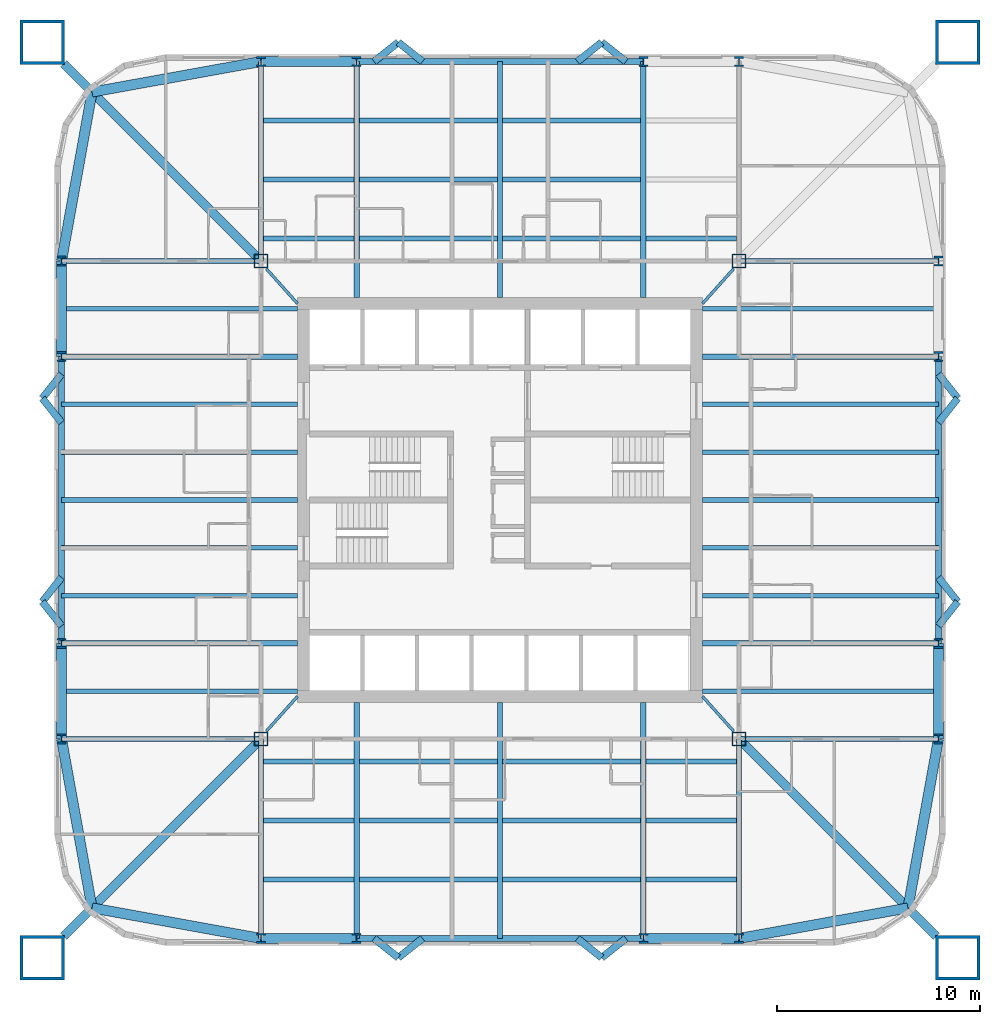
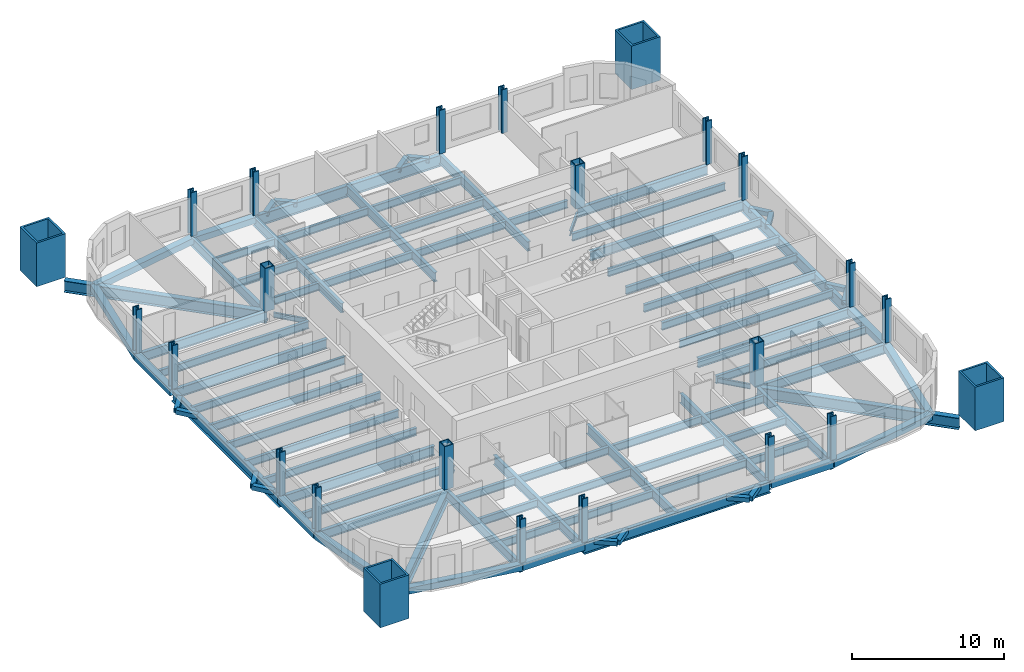
# One storey, part 1 of 9: 92 beams, 24 columns.
"""IFC4 building model written with IfcOpenShell, lengths in metres."""

from ifc_helpers import new_model, si_unit, direction, frame, origin, origin_2d, place, context, subcontext, project, spatial, hollow_rectangle, i_section, extrude, material, material_profile, profile_set, type_object, element, save


model = new_model("IFC4")

# Units and contexts
model_context = context("Model", 3, precision=1e-05, world=origin(), true_north=direction((0.0, 1.0)))
body_context = subcontext(model_context, "Body", "Model", "MODEL_VIEW")
ifc_project = project(units=[si_unit("LENGTHUNIT", "METRE"), si_unit("AREAUNIT", "SQUARE_METRE"), si_unit("VOLUMEUNIT", "CUBIC_METRE"), si_unit("PLANEANGLEUNIT", "RADIAN"), si_unit("MASSUNIT", "GRAM", prefix="KILO")], contexts=[model_context])

# Site, building, storey
site_placement = place(None, origin())
site = spatial("IfcSite", under=ifc_project, at=site_placement, CompositionType="ELEMENT")
building_placement = place(site_placement, origin())
building = spatial("IfcBuilding", under=site, at=building_placement, Name="Turquesa Mirador Hotel Tower", CompositionType="ELEMENT")
storey_placement = place(building_placement, frame((0.0, 0.0, 49.5)))
storey = spatial("IfcBuildingStorey", under=building, at=storey_placement, Name="L12", CompositionType="ELEMENT", Elevation=49.5)

# Columns
ifc_material_1 = material(Name="Steel ASTM A572 Grade 50", Category="steel")
ifc_material_profile_1 = material_profile(ifc_material_1, hollow_rectangle(XDim=0.699951171875, YDim=0.699951171875, WallThickness=0.06005859375, at=origin_2d()), Name="BOX700X700X60")
ifc_profile_set_1 = profile_set([ifc_material_profile_1], Name="Steel ASTM A572 Grade 50")
column_type_1 = type_object("IfcColumnType", Name="COLUMN BOX700X700X60", PredefinedType="COLUMN", material=ifc_profile_set_1)
for number, where, z_axis, x_axis, name in (
    (1, (43.199951171875, 33.199951171875, 0.0), (0.0, 0.0, 1.0), (1.0, 0.0, 0.0), "COL-L12-K--11.80--11.80"),
    (2, (43.199951171875, 56.800048828125, 0.0), (0.0, 0.0, 1.0), (1.0, 0.0, 0.0), "COL-L12-K--11.80-+11.80"),
    (3, (66.800048828125, 33.199951171875, 0.0), (0.0, 0.0, 1.0), (1.0, 0.0, 0.0), "COL-L12-K-+11.80--11.80"),
    (4, (66.800048828125, 56.800048828125, 0.0), (0.0, 0.0, 1.0), (1.0, 0.0, 0.0), "COL-L12-K-+11.80-+11.80"),
):
    element("IfcColumn", number, at=place(storey_placement, frame(where, z_axis=z_axis, x_axis=x_axis)), inside=storey, type_object=column_type_1, Name=name, PredefinedType="COLUMN", context=body_context, shape_type="SweptSolid", body=[
        extrude(hollow_rectangle(XDim=0.699951171875, YDim=0.699951171875, WallThickness=0.06005859375, at=origin_2d()), origin(), (0.0, 0.0, 1.0), 3.5),
    ])
ifc_material_2 = material(Name="Steel ASTM A992 Grade 50", Category="steel")
ifc_material_profile_2 = material_profile(ifc_material_2, i_section(OverallWidth=0.431884765625, OverallDepth=0.497802734375, WebThickness=0.0556640625, FlangeThickness=0.0888671875, at=origin_2d()), Name="W14X500")
ifc_profile_set_2 = profile_set([ifc_material_profile_2], Name="Steel ASTM A992 Grade 50")
column_type_2 = type_object("IfcColumnType", Name="COLUMN W14X500", PredefinedType="COLUMN", material=ifc_profile_set_2)
for number, where, z_axis, x_axis, name in (
    (5, (33.35009765625, 33.199951171875, 0.0), (0.0, 0.0, 1.0), (1.0, 0.0, 0.0), "COL-L12-P--21.65--11.80"),
    (6, (33.35009765625, 37.919921875, 0.0), (0.0, 0.0, 1.0), (1.0, 0.0, 0.0), "COL-L12-P--21.65--7.08"),
    (7, (33.35009765625, 52.080078125, 0.0), (0.0, 0.0, 1.0), (1.0, 0.0, 0.0), "COL-L12-P--21.65-+7.08"),
    (8, (33.35009765625, 56.800048828125, 0.0), (0.0, 0.0, 1.0), (1.0, 0.0, 0.0), "COL-L12-P--21.65-+11.80"),
    (9, (43.199951171875, 23.35009765625, 0.0), (0.0, 0.0, 1.0), (1.0, 0.0, 0.0), "COL-L12-P--11.80--21.65"),
    (10, (43.199951171875, 66.64990234375, 0.0), (0.0, 0.0, 1.0), (1.0, 0.0, 0.0), "COL-L12-P--11.80-+21.65"),
    (11, (47.919921875, 23.35009765625, 0.0), (0.0, 0.0, 1.0), (1.0, 0.0, 0.0), "COL-L12-P--7.08--21.65"),
    (12, (47.919921875, 66.64990234375, 0.0), (0.0, 0.0, 1.0), (1.0, 0.0, 0.0), "COL-L12-P--7.08-+21.65"),
    (13, (62.080078125, 23.35009765625, 0.0), (0.0, 0.0, 1.0), (1.0, 0.0, 0.0), "COL-L12-P-+7.08--21.65"),
    (14, (62.080078125, 66.64990234375, 0.0), (0.0, 0.0, 1.0), (1.0, 0.0, 0.0), "COL-L12-P-+7.08-+21.65"),
    (15, (66.800048828125, 23.35009765625, 0.0), (0.0, 0.0, 1.0), (1.0, 0.0, 0.0), "COL-L12-P-+11.80--21.65"),
    (16, (66.800048828125, 66.64990234375, 0.0), (0.0, 0.0, 1.0), (1.0, 0.0, 0.0), "COL-L12-P-+11.80-+21.65"),
    (17, (76.64990234375, 33.199951171875, 0.0), (0.0, 0.0, 1.0), (1.0, 0.0, 0.0), "COL-L12-P-+21.65--11.80"),
    (18, (76.64990234375, 37.919921875, 0.0), (0.0, 0.0, 1.0), (1.0, 0.0, 0.0), "COL-L12-P-+21.65--7.08"),
    (19, (76.64990234375, 52.080078125, 0.0), (0.0, 0.0, 1.0), (1.0, 0.0, 0.0), "COL-L12-P-+21.65-+7.08"),
    (20, (76.64990234375, 56.800048828125, 0.0), (0.0, 0.0, 1.0), (1.0, 0.0, 0.0), "COL-L12-P-+21.65-+11.80"),
):
    element("IfcColumn", number, at=place(storey_placement, frame(where, z_axis=z_axis, x_axis=x_axis)), inside=storey, type_object=column_type_2, Name=name, PredefinedType="COLUMN", context=body_context, shape_type="SweptSolid", body=[
        extrude(i_section(OverallWidth=0.431884765625, OverallDepth=0.497802734375, WebThickness=0.0556640625, FlangeThickness=0.0888671875, at=origin_2d()), origin(), (0.0, 0.0, 1.0), 3.5),
    ])
ifc_material_3 = material(Name="Steel ASTM A514 Grade Q", Category="steel")
ifc_material_profile_3 = material_profile(ifc_material_3, hollow_rectangle(XDim=2.199951171875, YDim=2.199951171875, WallThickness=0.14990234375, at=origin_2d()), Name="BOX2200X2200X150")
ifc_profile_set_3 = profile_set([ifc_material_profile_3], Name="Steel ASTM A514 Grade Q")
column_type_3 = type_object("IfcColumnType", Name="MEGA COLUMN BOX2200X2200X150", PredefinedType="COLUMN", material=ifc_profile_set_3)
for number, where, z_axis, x_axis, name in (
    (21, (77.60009765625, 67.60009765625, 0.0), (0.0, 0.0, 1.0), (1.0, 0.0, 0.0), "Mega column M1"),
    (22, (32.39990234375, 67.60009765625, 0.0), (0.0, 0.0, 1.0), (1.0, 0.0, 0.0), "Mega column M2"),
    (23, (32.39990234375, 22.39990234375, 0.0), (0.0, 0.0, 1.0), (1.0, 0.0, 0.0), "Mega column M3"),
    (24, (77.60009765625, 22.39990234375, 0.0), (0.0, 0.0, 1.0), (1.0, 0.0, 0.0), "Mega column M4"),
):
    element("IfcColumn", number, at=place(storey_placement, frame(where, z_axis=z_axis, x_axis=x_axis)), inside=storey, type_object=column_type_3, Name=name, PredefinedType="COLUMN", context=body_context, shape_type="SweptSolid", body=[
        extrude(hollow_rectangle(XDim=2.199951171875, YDim=2.199951171875, WallThickness=0.14990234375, at=origin_2d()), origin(), (0.0, 0.0, 1.0), 3.5),
    ])

# Beams
ifc_material_4 = material(Name="Steel ASTM A572 Grade 50", Category="steel")
ifc_material_profile_4 = material_profile(ifc_material_4, hollow_rectangle(XDim=0.5, YDim=0.5, WallThickness=0.01611328125, at=origin_2d()), Name="BOX500X500X16")
ifc_profile_set_4 = profile_set([ifc_material_profile_4], Name="Steel ASTM A572 Grade 50")
beam_type_1 = type_object("IfcBeamType", Name="BEAM BOX500X500X16", PredefinedType="BEAM", material=ifc_profile_set_4)
for number, where, z_axis, x_axis, name in (
    (25, (43.199951171875, 66.64990234375, -0.419921875), (1.0, 0.0, 0.0), (0.0, 1.0, 0.0), "EB-L12-N-L"),
    (26, (43.199951171875, 23.35009765625, -0.419921875), (1.0, 0.0, 0.0), (0.0, 1.0, 0.0), "EB-L12-S-L"),
    (27, (62.080078125, 23.35009765625, -0.419921875), (1.0, 0.0, 0.0), (0.0, 1.0, 0.0), "EB-L12-S-R"),
    (28, (76.64990234375, 33.199951171875, -0.419921875), (0.0, 1.0, 0.0), (-1.0, 0.0, 0.0), "EB-L12-E-L"),
    (29, (33.35009765625, 33.199951171875, -0.419921875), (0.0, 1.0, 0.0), (-1.0, 0.0, 0.0), "EB-L12-W-L"),
    (30, (33.35009765625, 52.080078125, -0.419921875), (0.0, 1.0, 0.0), (-1.0, 0.0, 0.0), "EB-L12-W-R"),
):
    element("IfcBeam", number, at=place(storey_placement, frame(where, z_axis=z_axis, x_axis=x_axis)), inside=storey, type_object=beam_type_1, Name=name, PredefinedType="BEAM", context=body_context, shape_type="SweptSolid", body=[
        extrude(hollow_rectangle(XDim=0.5, YDim=0.5, WallThickness=0.01611328125, at=origin_2d()), origin(), (0.0, 0.0, 1.0), 4.719970703125),
    ])
for number, where, z_axis, x_axis, name in (
    (31, (33.35009765625, 56.800048828125, -0.419921875), (0.177932387818, 0.984042715214, 0.0), (-0.984042715214, 0.177932387818, 0.0), "KE-L12-2-0"),
    (32, (34.8583984375, 65.1416015625, -0.419921875), (0.984042715214, 0.177932387818, 0.0), (-0.177932387818, 0.984042715214, 0.0), "KE-L12-2-1"),
    (33, (33.35009765625, 33.199951171875, -0.419921875), (0.177932387818, -0.984042715214, 0.0), (0.984042715214, 0.177932387818, 0.0), "KE-L12-3-0"),
    (34, (34.8583984375, 24.8583984375, -0.419921875), (0.984042715214, -0.177932387818, 0.0), (0.177932387818, 0.984042715214, 0.0), "KE-L12-3-1"),
    (35, (76.64990234375, 33.199951171875, -0.419921875), (-0.177932387818, -0.984042715214, 0.0), (0.984042715214, -0.177932387818, 0.0), "KE-L12-4-0"),
    (36, (75.1416015625, 24.8583984375, -0.419921875), (-0.984042715214, -0.177932387818, 0.0), (0.177932387818, -0.984042715214, 0.0), "KE-L12-4-1"),
):
    element("IfcBeam", number, at=place(storey_placement, frame(where, z_axis=z_axis, x_axis=x_axis)), inside=storey, type_object=beam_type_1, Name=name, PredefinedType="BEAM", context=body_context, shape_type="SweptSolid", body=[
        extrude(hollow_rectangle(XDim=0.5, YDim=0.5, WallThickness=0.01611328125, at=origin_2d()), origin(), (0.0, 0.0, 1.0), 8.476806640625),
    ])
ifc_material_5 = material(Name="Steel ASTM A992 Grade 50", Category="steel")
ifc_material_profile_5 = material_profile(ifc_material_5, i_section(OverallWidth=0.140380859375, OverallDepth=0.40380859375, WebThickness=0.007080078125, FlangeThickness=0.01123046875, at=origin_2d()), Name="W16X31")
ifc_profile_set_5 = profile_set([ifc_material_profile_5], Name="Steel ASTM A992 Grade 50")
beam_type_2 = type_object("IfcBeamType", Name="BEAM W16X31", PredefinedType="BEAM", material=ifc_profile_set_5)
for number, where, z_axis, x_axis, name in (
    (37, (66.529541015625, 56.40966796875, -0.371826171875), (-0.666745084392, -0.745285846129, 0.0), (0.745285846129, -0.666745084392, 0.0), "KT-L12-1"),
    (38, (43.470458984375, 56.40966796875, -0.371826171875), (0.666745084392, -0.745285846129, 0.0), (0.745285846129, 0.666745084392, 0.0), "KT-L12-2"),
    (39, (43.470458984375, 33.59033203125, -0.371826171875), (0.666745084392, 0.745285846129, 0.0), (-0.745285846129, 0.666745084392, 0.0), "KT-L12-3"),
    (40, (66.529541015625, 33.59033203125, -0.371826171875), (-0.666745084392, 0.745285846129, 0.0), (-0.745285846129, -0.666745084392, 0.0), "KT-L12-4"),
):
    element("IfcBeam", number, at=place(storey_placement, frame(where, z_axis=z_axis, x_axis=x_axis)), inside=storey, type_object=beam_type_2, Name=name, PredefinedType="BEAM", context=body_context, shape_type="SweptSolid", body=[
        extrude(i_section(OverallWidth=0.140380859375, OverallDepth=0.40380859375, WebThickness=0.007080078125, FlangeThickness=0.01123046875, at=origin_2d()), origin(), (0.0, 0.0, 1.0), 2.2939453125),
    ])
ifc_material_6 = material(Name="Steel ASTM A992 Grade 50", Category="steel")
ifc_material_profile_6 = material_profile(ifc_material_6, i_section(OverallWidth=0.228271484375, OverallDepth=0.607177734375, WebThickness=0.01123046875, FlangeThickness=0.017333984375, at=origin_2d()), Name="W24X76")
ifc_profile_set_6 = profile_set([ifc_material_profile_6], Name="Steel ASTM A992 Grade 50")
beam_type_3 = type_object("IfcBeamType", Name="BEAM W24X76", PredefinedType="BEAM", material=ifc_profile_set_6)
beam_1_placement = place(storey_placement, frame((43.333251953125, 57.912109375, -0.4736328125), z_axis=(1.0, 0.0, 0.0), x_axis=(0.0, 1.0, 0.0)))
element("IfcBeam", 41, at=beam_1_placement, inside=storey, type_object=beam_type_3, Name="IB-L12-N-1-0", PredefinedType="BEAM", context=body_context, shape_type="SweptSolid", body=[
    extrude(i_section(OverallWidth=0.228271484375, OverallDepth=0.607177734375, WebThickness=0.01123046875, FlangeThickness=0.017333984375, at=origin_2d()), origin(), (0.0, 0.0, 1.0), 4.453369140625),
])
for number, where, z_axis, x_axis, name in (
    (42, (48.053466796875, 57.912109375, -0.4736328125), (1.0, 0.0, 0.0), (0.0, 1.0, 0.0), "IB-L12-N-1-1"),
    (43, (55.13330078125, 57.912109375, -0.4736328125), (1.0, 0.0, 0.0), (0.0, 1.0, 0.0), "IB-L12-N-1-2"),
):
    element("IfcBeam", number, at=place(storey_placement, frame(where, z_axis=z_axis, x_axis=x_axis)), inside=storey, type_object=beam_type_3, Name=name, PredefinedType="BEAM", context=body_context, shape_type="SweptSolid", body=[
        extrude(i_section(OverallWidth=0.228271484375, OverallDepth=0.607177734375, WebThickness=0.01123046875, FlangeThickness=0.017333984375, at=origin_2d()), origin(), (0.0, 0.0, 1.0), 6.813232421875),
    ])
for number, where, z_axis, x_axis, name in (
    (44, (62.21337890625, 57.912109375, -0.4736328125), (1.0, 0.0, 0.0), (0.0, 1.0, 0.0), "IB-L12-N-1-3"),
    (45, (43.333251953125, 60.824951171875, -0.4736328125), (1.0, 0.0, 0.0), (0.0, 1.0, 0.0), "IB-L12-N-2-0"),
):
    element("IfcBeam", number, at=place(storey_placement, frame(where, z_axis=z_axis, x_axis=x_axis)), inside=storey, type_object=beam_type_3, Name=name, PredefinedType="BEAM", context=body_context, shape_type="SweptSolid", body=[
        extrude(i_section(OverallWidth=0.228271484375, OverallDepth=0.607177734375, WebThickness=0.01123046875, FlangeThickness=0.017333984375, at=origin_2d()), origin(), (0.0, 0.0, 1.0), 4.453369140625),
    ])
for number, where, z_axis, x_axis, name in (
    (46, (48.053466796875, 60.824951171875, -0.4736328125), (1.0, 0.0, 0.0), (0.0, 1.0, 0.0), "IB-L12-N-2-1"),
    (47, (55.13330078125, 60.824951171875, -0.4736328125), (1.0, 0.0, 0.0), (0.0, 1.0, 0.0), "IB-L12-N-2-2"),
):
    element("IfcBeam", number, at=place(storey_placement, frame(where, z_axis=z_axis, x_axis=x_axis)), inside=storey, type_object=beam_type_3, Name=name, PredefinedType="BEAM", context=body_context, shape_type="SweptSolid", body=[
        extrude(i_section(OverallWidth=0.228271484375, OverallDepth=0.607177734375, WebThickness=0.01123046875, FlangeThickness=0.017333984375, at=origin_2d()), origin(), (0.0, 0.0, 1.0), 6.813232421875),
    ])
beam_2_placement = place(storey_placement, frame((43.333251953125, 63.737060546875, -0.4736328125), z_axis=(1.0, 0.0, 0.0), x_axis=(0.0, 1.0, 0.0)))
element("IfcBeam", 48, at=beam_2_placement, inside=storey, type_object=beam_type_3, Name="IB-L12-N-3-0", PredefinedType="BEAM", context=body_context, shape_type="SweptSolid", body=[
    extrude(i_section(OverallWidth=0.228271484375, OverallDepth=0.607177734375, WebThickness=0.01123046875, FlangeThickness=0.017333984375, at=origin_2d()), origin(), (0.0, 0.0, 1.0), 4.453369140625),
])
for number, where, z_axis, x_axis, name in (
    (49, (48.053466796875, 63.737060546875, -0.4736328125), (1.0, 0.0, 0.0), (0.0, 1.0, 0.0), "IB-L12-N-3-1"),
    (50, (55.13330078125, 63.737060546875, -0.4736328125), (1.0, 0.0, 0.0), (0.0, 1.0, 0.0), "IB-L12-N-3-2"),
):
    element("IfcBeam", number, at=place(storey_placement, frame(where, z_axis=z_axis, x_axis=x_axis)), inside=storey, type_object=beam_type_3, Name=name, PredefinedType="BEAM", context=body_context, shape_type="SweptSolid", body=[
        extrude(i_section(OverallWidth=0.228271484375, OverallDepth=0.607177734375, WebThickness=0.01123046875, FlangeThickness=0.017333984375, at=origin_2d()), origin(), (0.0, 0.0, 1.0), 6.813232421875),
    ])
beam_3_placement = place(storey_placement, frame((43.333251953125, 32.087890625, -0.4736328125), z_axis=(1.0, 0.0, 0.0), x_axis=(0.0, 1.0, 0.0)))
element("IfcBeam", 51, at=beam_3_placement, inside=storey, type_object=beam_type_3, Name="IB-L12-S-1-0", PredefinedType="BEAM", context=body_context, shape_type="SweptSolid", body=[
    extrude(i_section(OverallWidth=0.228271484375, OverallDepth=0.607177734375, WebThickness=0.01123046875, FlangeThickness=0.017333984375, at=origin_2d()), origin(), (0.0, 0.0, 1.0), 4.453369140625),
])
for number, where, z_axis, x_axis, name in (
    (52, (48.053466796875, 32.087890625, -0.4736328125), (1.0, 0.0, 0.0), (0.0, 1.0, 0.0), "IB-L12-S-1-1"),
    (53, (55.13330078125, 32.087890625, -0.4736328125), (1.0, 0.0, 0.0), (0.0, 1.0, 0.0), "IB-L12-S-1-2"),
):
    element("IfcBeam", number, at=place(storey_placement, frame(where, z_axis=z_axis, x_axis=x_axis)), inside=storey, type_object=beam_type_3, Name=name, PredefinedType="BEAM", context=body_context, shape_type="SweptSolid", body=[
        extrude(i_section(OverallWidth=0.228271484375, OverallDepth=0.607177734375, WebThickness=0.01123046875, FlangeThickness=0.017333984375, at=origin_2d()), origin(), (0.0, 0.0, 1.0), 6.813232421875),
    ])
for number, where, z_axis, x_axis, name in (
    (54, (62.21337890625, 32.087890625, -0.4736328125), (1.0, 0.0, 0.0), (0.0, 1.0, 0.0), "IB-L12-S-1-3"),
    (55, (43.333251953125, 29.175048828125, -0.4736328125), (1.0, 0.0, 0.0), (0.0, 1.0, 0.0), "IB-L12-S-2-0"),
):
    element("IfcBeam", number, at=place(storey_placement, frame(where, z_axis=z_axis, x_axis=x_axis)), inside=storey, type_object=beam_type_3, Name=name, PredefinedType="BEAM", context=body_context, shape_type="SweptSolid", body=[
        extrude(i_section(OverallWidth=0.228271484375, OverallDepth=0.607177734375, WebThickness=0.01123046875, FlangeThickness=0.017333984375, at=origin_2d()), origin(), (0.0, 0.0, 1.0), 4.453369140625),
    ])
for number, where, z_axis, x_axis, name in (
    (56, (48.053466796875, 29.175048828125, -0.4736328125), (1.0, 0.0, 0.0), (0.0, 1.0, 0.0), "IB-L12-S-2-1"),
    (57, (55.13330078125, 29.175048828125, -0.4736328125), (1.0, 0.0, 0.0), (0.0, 1.0, 0.0), "IB-L12-S-2-2"),
):
    element("IfcBeam", number, at=place(storey_placement, frame(where, z_axis=z_axis, x_axis=x_axis)), inside=storey, type_object=beam_type_3, Name=name, PredefinedType="BEAM", context=body_context, shape_type="SweptSolid", body=[
        extrude(i_section(OverallWidth=0.228271484375, OverallDepth=0.607177734375, WebThickness=0.01123046875, FlangeThickness=0.017333984375, at=origin_2d()), origin(), (0.0, 0.0, 1.0), 6.813232421875),
    ])
for number, where, z_axis, x_axis, name in (
    (58, (62.21337890625, 29.175048828125, -0.4736328125), (1.0, 0.0, 0.0), (0.0, 1.0, 0.0), "IB-L12-S-2-3"),
    (59, (43.333251953125, 26.262939453125, -0.4736328125), (1.0, 0.0, 0.0), (0.0, 1.0, 0.0), "IB-L12-S-3-0"),
):
    element("IfcBeam", number, at=place(storey_placement, frame(where, z_axis=z_axis, x_axis=x_axis)), inside=storey, type_object=beam_type_3, Name=name, PredefinedType="BEAM", context=body_context, shape_type="SweptSolid", body=[
        extrude(i_section(OverallWidth=0.228271484375, OverallDepth=0.607177734375, WebThickness=0.01123046875, FlangeThickness=0.017333984375, at=origin_2d()), origin(), (0.0, 0.0, 1.0), 4.453369140625),
    ])
for number, where, z_axis, x_axis, name in (
    (60, (48.053466796875, 26.262939453125, -0.4736328125), (1.0, 0.0, 0.0), (0.0, 1.0, 0.0), "IB-L12-S-3-1"),
    (61, (55.13330078125, 26.262939453125, -0.4736328125), (1.0, 0.0, 0.0), (0.0, 1.0, 0.0), "IB-L12-S-3-2"),
):
    element("IfcBeam", number, at=place(storey_placement, frame(where, z_axis=z_axis, x_axis=x_axis)), inside=storey, type_object=beam_type_3, Name=name, PredefinedType="BEAM", context=body_context, shape_type="SweptSolid", body=[
        extrude(i_section(OverallWidth=0.228271484375, OverallDepth=0.607177734375, WebThickness=0.01123046875, FlangeThickness=0.017333984375, at=origin_2d()), origin(), (0.0, 0.0, 1.0), 6.813232421875),
    ])
beam_4_placement = place(storey_placement, frame((62.21337890625, 26.262939453125, -0.4736328125), z_axis=(1.0, 0.0, 0.0), x_axis=(0.0, 1.0, 0.0)))
element("IfcBeam", 62, at=beam_4_placement, inside=storey, type_object=beam_type_3, Name="IB-L12-S-3-3", PredefinedType="BEAM", context=body_context, shape_type="SweptSolid", body=[
    extrude(i_section(OverallWidth=0.228271484375, OverallDepth=0.607177734375, WebThickness=0.01123046875, FlangeThickness=0.017333984375, at=origin_2d()), origin(), (0.0, 0.0, 1.0), 4.453369140625),
])
for number, where, z_axis, x_axis, name in (
    (63, (76.64990234375, 35.56005859375, -0.4736328125), (-1.0, 0.0, 0.0), (0.0, -1.0, 0.0), "BM-L12-E--9.44"),
    (64, (76.64990234375, 40.280029296875, -0.4736328125), (-1.0, 0.0, 0.0), (0.0, -1.0, 0.0), "BM-L12-E--4.72"),
    (65, (76.64990234375, 42.639892578125, -0.4736328125), (-1.0, 0.0, 0.0), (0.0, -1.0, 0.0), "BM-L12-E--2.36"),
    (66, (76.64990234375, 45.0, -0.4736328125), (-1.0, 0.0, 0.0), (0.0, -1.0, 0.0), "BM-L12-E-+0.00"),
    (67, (76.64990234375, 47.360107421875, -0.4736328125), (-1.0, 0.0, 0.0), (0.0, -1.0, 0.0), "BM-L12-E-+2.36"),
    (68, (76.64990234375, 49.719970703125, -0.4736328125), (-1.0, 0.0, 0.0), (0.0, -1.0, 0.0), "BM-L12-E-+4.72"),
    (69, (76.64990234375, 54.43994140625, -0.4736328125), (-1.0, 0.0, 0.0), (0.0, -1.0, 0.0), "BM-L12-E-+9.44"),
    (70, (33.35009765625, 35.56005859375, -0.4736328125), (1.0, 0.0, 0.0), (0.0, 1.0, 0.0), "BM-L12-W--9.44"),
    (71, (33.35009765625, 40.280029296875, -0.4736328125), (1.0, 0.0, 0.0), (0.0, 1.0, 0.0), "BM-L12-W--4.72"),
    (72, (33.35009765625, 42.639892578125, -0.4736328125), (1.0, 0.0, 0.0), (0.0, 1.0, 0.0), "BM-L12-W--2.36"),
    (73, (33.35009765625, 45.0, -0.4736328125), (1.0, 0.0, 0.0), (0.0, 1.0, 0.0), "BM-L12-W-+0.00"),
    (74, (33.35009765625, 47.360107421875, -0.4736328125), (1.0, 0.0, 0.0), (0.0, 1.0, 0.0), "BM-L12-W-+2.36"),
    (75, (33.35009765625, 49.719970703125, -0.4736328125), (1.0, 0.0, 0.0), (0.0, 1.0, 0.0), "BM-L12-W-+4.72"),
    (76, (33.35009765625, 54.43994140625, -0.4736328125), (1.0, 0.0, 0.0), (0.0, 1.0, 0.0), "BM-L12-W-+9.44"),
):
    element("IfcBeam", number, at=place(storey_placement, frame(where, z_axis=z_axis, x_axis=x_axis)), inside=storey, type_object=beam_type_3, Name=name, PredefinedType="BEAM", context=body_context, shape_type="SweptSolid", body=[
        extrude(i_section(OverallWidth=0.228271484375, OverallDepth=0.607177734375, WebThickness=0.01123046875, FlangeThickness=0.017333984375, at=origin_2d()), origin(), (0.0, 0.0, 1.0), 11.64990234375),
    ])
ifc_material_7 = material(Name="Steel ASTM A992 Grade 50", Category="steel")
ifc_material_profile_7 = material_profile(ifc_material_7, i_section(OverallWidth=0.2666015625, OverallDepth=0.7568359375, WebThickness=0.013916015625, FlangeThickness=0.019287109375, at=origin_2d()), Name="W30X108")
ifc_profile_set_7 = profile_set([ifc_material_profile_7], Name="Steel ASTM A992 Grade 50")
beam_type_4 = type_object("IfcBeamType", Name="BEAM W30X108", PredefinedType="BEAM", material=ifc_profile_set_7)
for number, where, z_axis, x_axis, name in (
    (77, (47.919921875, 66.64990234375, -0.54833984375), (0.0, -1.0, 0.0), (1.0, 0.0, 0.0), "GD-L12-N--7.08"),
    (78, (62.080078125, 66.64990234375, -0.54833984375), (0.0, -1.0, 0.0), (1.0, 0.0, 0.0), "GD-L12-N-+7.08"),
    (79, (55.0, 66.64990234375, -0.54833984375), (0.0, -1.0, 0.0), (1.0, 0.0, 0.0), "GD-L12-N-+0.00"),
):
    element("IfcBeam", number, at=place(storey_placement, frame(where, z_axis=z_axis, x_axis=x_axis)), inside=storey, type_object=beam_type_4, Name=name, PredefinedType="BEAM", context=body_context, shape_type="SweptSolid", body=[
        extrude(i_section(OverallWidth=0.2666015625, OverallDepth=0.7568359375, WebThickness=0.013916015625, FlangeThickness=0.019287109375, at=origin_2d()), origin(), (0.0, 0.0, 1.0), 11.64990234375),
    ])
beam_5_placement = place(storey_placement, frame((43.199951171875, 66.64990234375, -0.54833984375), z_axis=(0.0, -1.0, 0.0), x_axis=(1.0, 0.0, 0.0)))
element("IfcBeam", 80, at=beam_5_placement, inside=storey, type_object=beam_type_4, Name="GK-L12-N--11.80", PredefinedType="BEAM", context=body_context, shape_type="SweptSolid", body=[
    extrude(i_section(OverallWidth=0.2666015625, OverallDepth=0.7568359375, WebThickness=0.013916015625, FlangeThickness=0.019287109375, at=origin_2d()), origin(), (0.0, 0.0, 1.0), 9.849853515625),
])
for number, where, z_axis, x_axis, name in (
    (81, (47.919921875, 23.35009765625, -0.54833984375), (0.0, 1.0, 0.0), (-1.0, 0.0, 0.0), "GD-L12-S--7.08"),
    (82, (62.080078125, 23.35009765625, -0.54833984375), (0.0, 1.0, 0.0), (-1.0, 0.0, 0.0), "GD-L12-S-+7.08"),
    (83, (55.0, 23.35009765625, -0.54833984375), (0.0, 1.0, 0.0), (-1.0, 0.0, 0.0), "GD-L12-S-+0.00"),
):
    element("IfcBeam", number, at=place(storey_placement, frame(where, z_axis=z_axis, x_axis=x_axis)), inside=storey, type_object=beam_type_4, Name=name, PredefinedType="BEAM", context=body_context, shape_type="SweptSolid", body=[
        extrude(i_section(OverallWidth=0.2666015625, OverallDepth=0.7568359375, WebThickness=0.013916015625, FlangeThickness=0.019287109375, at=origin_2d()), origin(), (0.0, 0.0, 1.0), 11.64990234375),
    ])
for number, where, z_axis, x_axis, name in (
    (84, (43.199951171875, 23.35009765625, -0.54833984375), (0.0, 1.0, 0.0), (-1.0, 0.0, 0.0), "GK-L12-S--11.80"),
    (85, (66.800048828125, 23.35009765625, -0.54833984375), (0.0, 1.0, 0.0), (-1.0, 0.0, 0.0), "GK-L12-S-+11.80"),
):
    element("IfcBeam", number, at=place(storey_placement, frame(where, z_axis=z_axis, x_axis=x_axis)), inside=storey, type_object=beam_type_4, Name=name, PredefinedType="BEAM", context=body_context, shape_type="SweptSolid", body=[
        extrude(i_section(OverallWidth=0.2666015625, OverallDepth=0.7568359375, WebThickness=0.013916015625, FlangeThickness=0.019287109375, at=origin_2d()), origin(), (0.0, 0.0, 1.0), 9.849853515625),
    ])
for number, where, z_axis, x_axis, name in (
    (86, (76.64990234375, 37.919921875, -0.54833984375), (-1.0, 0.0, 0.0), (0.0, -1.0, 0.0), "GD-L12-E--7.08"),
    (87, (76.64990234375, 52.080078125, -0.54833984375), (-1.0, 0.0, 0.0), (0.0, -1.0, 0.0), "GD-L12-E-+7.08"),
):
    element("IfcBeam", number, at=place(storey_placement, frame(where, z_axis=z_axis, x_axis=x_axis)), inside=storey, type_object=beam_type_4, Name=name, PredefinedType="BEAM", context=body_context, shape_type="SweptSolid", body=[
        extrude(i_section(OverallWidth=0.2666015625, OverallDepth=0.7568359375, WebThickness=0.013916015625, FlangeThickness=0.019287109375, at=origin_2d()), origin(), (0.0, 0.0, 1.0), 11.64990234375),
    ])
for number, where, z_axis, x_axis, name in (
    (88, (76.64990234375, 33.199951171875, -0.54833984375), (-1.0, 0.0, 0.0), (0.0, -1.0, 0.0), "GK-L12-E--11.80"),
    (89, (76.64990234375, 56.800048828125, -0.54833984375), (-1.0, 0.0, 0.0), (0.0, -1.0, 0.0), "GK-L12-E-+11.80"),
):
    element("IfcBeam", number, at=place(storey_placement, frame(where, z_axis=z_axis, x_axis=x_axis)), inside=storey, type_object=beam_type_4, Name=name, PredefinedType="BEAM", context=body_context, shape_type="SweptSolid", body=[
        extrude(i_section(OverallWidth=0.2666015625, OverallDepth=0.7568359375, WebThickness=0.013916015625, FlangeThickness=0.019287109375, at=origin_2d()), origin(), (0.0, 0.0, 1.0), 9.849853515625),
    ])
for number, where, z_axis, x_axis, name in (
    (90, (33.35009765625, 37.919921875, -0.54833984375), (1.0, 0.0, 0.0), (0.0, 1.0, 0.0), "GD-L12-W--7.08"),
    (91, (33.35009765625, 52.080078125, -0.54833984375), (1.0, 0.0, 0.0), (0.0, 1.0, 0.0), "GD-L12-W-+7.08"),
):
    element("IfcBeam", number, at=place(storey_placement, frame(where, z_axis=z_axis, x_axis=x_axis)), inside=storey, type_object=beam_type_4, Name=name, PredefinedType="BEAM", context=body_context, shape_type="SweptSolid", body=[
        extrude(i_section(OverallWidth=0.2666015625, OverallDepth=0.7568359375, WebThickness=0.013916015625, FlangeThickness=0.019287109375, at=origin_2d()), origin(), (0.0, 0.0, 1.0), 11.64990234375),
    ])
for number, where, z_axis, x_axis, name in (
    (92, (33.35009765625, 33.199951171875, -0.54833984375), (1.0, 0.0, 0.0), (0.0, 1.0, 0.0), "GK-L12-W--11.80"),
    (93, (33.35009765625, 56.800048828125, -0.54833984375), (1.0, 0.0, 0.0), (0.0, 1.0, 0.0), "GK-L12-W-+11.80"),
):
    element("IfcBeam", number, at=place(storey_placement, frame(where, z_axis=z_axis, x_axis=x_axis)), inside=storey, type_object=beam_type_4, Name=name, PredefinedType="BEAM", context=body_context, shape_type="SweptSolid", body=[
        extrude(i_section(OverallWidth=0.2666015625, OverallDepth=0.7568359375, WebThickness=0.013916015625, FlangeThickness=0.019287109375, at=origin_2d()), origin(), (0.0, 0.0, 1.0), 9.849853515625),
    ])
ifc_material_8 = material(Name="Steel ASTM A992 Grade 50", Category="steel")
ifc_material_profile_8 = material_profile(ifc_material_8, i_section(OverallWidth=0.3046875, OverallDepth=0.911865234375, WebThickness=0.015869140625, FlangeThickness=0.02392578125, at=origin_2d()), Name="W36X150")
ifc_profile_set_8 = profile_set([ifc_material_profile_8], Name="Steel ASTM A992 Grade 50")
beam_type_5 = type_object("IfcBeamType", Name="BEAM W36X150", PredefinedType="BEAM", material=ifc_profile_set_8)
for number, where, z_axis, x_axis, name in (
    (94, (47.919921875, 66.64990234375, -0.6259765625), (1.0, 0.0, 0.0), (0.0, 1.0, 0.0), "EB-L12-N-C"),
    (95, (47.919921875, 23.35009765625, -0.6259765625), (1.0, 0.0, 0.0), (0.0, 1.0, 0.0), "EB-L12-S-C"),
    (96, (76.64990234375, 37.919921875, -0.6259765625), (0.0, 1.0, 0.0), (-1.0, 0.0, 0.0), "EB-L12-E-C"),
    (97, (33.35009765625, 37.919921875, -0.6259765625), (0.0, 1.0, 0.0), (-1.0, 0.0, 0.0), "EB-L12-W-C"),
):
    element("IfcBeam", number, at=place(storey_placement, frame(where, z_axis=z_axis, x_axis=x_axis)), inside=storey, type_object=beam_type_5, Name=name, PredefinedType="BEAM", context=body_context, shape_type="SweptSolid", body=[
        extrude(i_section(OverallWidth=0.3046875, OverallDepth=0.911865234375, WebThickness=0.015869140625, FlangeThickness=0.02392578125, at=origin_2d()), origin(), (0.0, 0.0, 1.0), 14.16015625),
    ])
ifc_material_9 = material(Name="Steel ASTM A992 Grade 50", Category="steel")
ifc_material_profile_9 = material_profile(ifc_material_9, i_section(OverallWidth=0.419189453125, OverallDepth=0.927001953125, WebThickness=0.019287109375, FlangeThickness=0.031982421875, at=origin_2d()), Name="W36X231")
ifc_profile_set_9 = profile_set([ifc_material_profile_9], Name="Steel ASTM A992 Grade 50")
beam_type_6 = type_object("IfcBeamType", Name="BEAM W36X231", PredefinedType="BEAM", material=ifc_profile_set_9)
for number, where, z_axis, x_axis, name in (
    (98, (43.199951171875, 56.800048828125, -0.633544921875), (-0.707106781187, 0.707106781187, 0.0), (-0.707106781187, -0.707106781187, 0.0), "KD-L12-2"),
    (99, (43.199951171875, 33.199951171875, -0.633544921875), (-0.707106781187, -0.707106781187, 0.0), (0.707106781187, -0.707106781187, 0.0), "KD-L12-3"),
    (100, (66.800048828125, 33.199951171875, -0.633544921875), (0.707106781187, -0.707106781187, 0.0), (0.707106781187, 0.707106781187, 0.0), "KD-L12-4"),
):
    element("IfcBeam", number, at=place(storey_placement, frame(where, z_axis=z_axis, x_axis=x_axis)), inside=storey, type_object=beam_type_6, Name=name, PredefinedType="BEAM", context=body_context, shape_type="SweptSolid", body=[
        extrude(i_section(OverallWidth=0.419189453125, OverallDepth=0.927001953125, WebThickness=0.019287109375, FlangeThickness=0.031982421875, at=origin_2d()), origin(), (0.0, 0.0, 1.0), 13.78857421875),
    ])
ifc_material_10 = material(Name="Steel ASTM A500 Grade C", Category="steel")
ifc_material_profile_10 = material_profile(ifc_material_10, hollow_rectangle(XDim=0.355712890625, YDim=0.355712890625, WallThickness=0.0146484375, at=origin_2d()), Name="HSS14X14X5/8")
ifc_profile_set_10 = profile_set([ifc_material_profile_10], Name="Steel ASTM A500 Grade C")
beam_type_7 = type_object("IfcBeamType", Name="BRACE STRUT HSS14X14X5/8", PredefinedType="BEAM", material=ifc_profile_set_10)
for number, where, z_axis, x_axis, name in (
    (101, (49.977783203125, 67.60009765625, -0.347900390625), (-0.783971428146, -0.620796907089, 0.0), (0.620796907089, -0.783971428146, 0.0), "Brace strut"),
    (102, (49.977783203125, 67.60009765625, -0.347900390625), (0.783971428146, -0.620796907089, 0.0), (0.620796907089, 0.783971428146, 0.0), "Brace strut"),
    (103, (60.022216796875, 67.60009765625, -0.347900390625), (-0.783971428146, -0.620796907089, 0.0), (0.620796907089, -0.783971428146, 0.0), "Brace strut"),
    (104, (60.022216796875, 67.60009765625, -0.347900390625), (0.783971428146, -0.620796907089, 0.0), (0.620796907089, 0.783971428146, 0.0), "Brace strut"),
    (105, (49.977783203125, 22.39990234375, -0.347900390625), (-0.783971428146, 0.620796907089, 0.0), (-0.620796907089, -0.783971428146, 0.0), "Brace strut"),
    (106, (49.977783203125, 22.39990234375, -0.347900390625), (0.783971428146, 0.620796907089, 0.0), (-0.620796907089, 0.783971428146, 0.0), "Brace strut"),
    (107, (60.022216796875, 22.39990234375, -0.347900390625), (-0.783971428146, 0.620796907089, 0.0), (-0.620796907089, -0.783971428146, 0.0), "Brace strut"),
    (108, (60.022216796875, 22.39990234375, -0.347900390625), (0.783971428146, 0.620796907089, 0.0), (-0.620796907089, 0.783971428146, 0.0), "Brace strut"),
    (109, (77.60009765625, 39.977783203125, -0.347900390625), (-0.620796907089, -0.783971428146, 0.0), (0.783971428146, -0.620796907089, 0.0), "Brace strut"),
    (110, (77.60009765625, 39.977783203125, -0.347900390625), (-0.620796907089, 0.783971428146, 0.0), (-0.783971428146, -0.620796907089, 0.0), "Brace strut"),
    (111, (77.60009765625, 50.022216796875, -0.347900390625), (-0.620796907089, -0.783971428146, 0.0), (0.783971428146, -0.620796907089, 0.0), "Brace strut"),
    (112, (77.60009765625, 50.022216796875, -0.347900390625), (-0.620796907089, 0.783971428146, 0.0), (-0.783971428146, -0.620796907089, 0.0), "Brace strut"),
    (113, (32.39990234375, 39.977783203125, -0.347900390625), (0.620796907089, -0.783971428146, 0.0), (0.783971428146, 0.620796907089, 0.0), "Brace strut"),
    (114, (32.39990234375, 39.977783203125, -0.347900390625), (0.620796907089, 0.783971428146, 0.0), (-0.783971428146, 0.620796907089, 0.0), "Brace strut"),
    (115, (32.39990234375, 50.022216796875, -0.347900390625), (0.620796907089, -0.783971428146, 0.0), (0.783971428146, 0.620796907089, 0.0), "Brace strut"),
    (116, (32.39990234375, 50.022216796875, -0.347900390625), (0.620796907089, 0.783971428146, 0.0), (-0.783971428146, 0.620796907089, 0.0), "Brace strut"),
):
    element("IfcBeam", number, at=place(storey_placement, frame(where, z_axis=z_axis, x_axis=x_axis)), inside=storey, type_object=beam_type_7, Name=name, PredefinedType="BEAM", context=body_context, shape_type="SweptSolid", body=[
        extrude(hollow_rectangle(XDim=0.355712890625, YDim=0.355712890625, WallThickness=0.0146484375, at=origin_2d()), origin(), (0.0, 0.0, 1.0), 1.530517578125),
    ])

save(model, "model.ifc")
